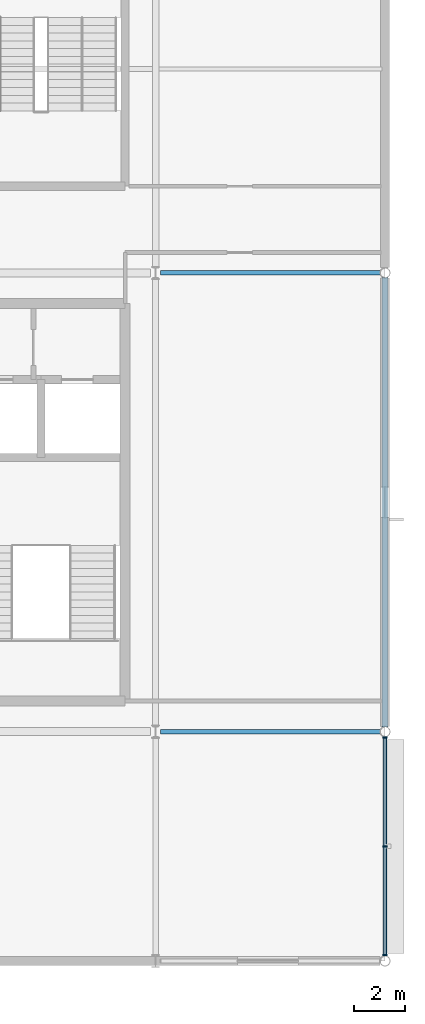
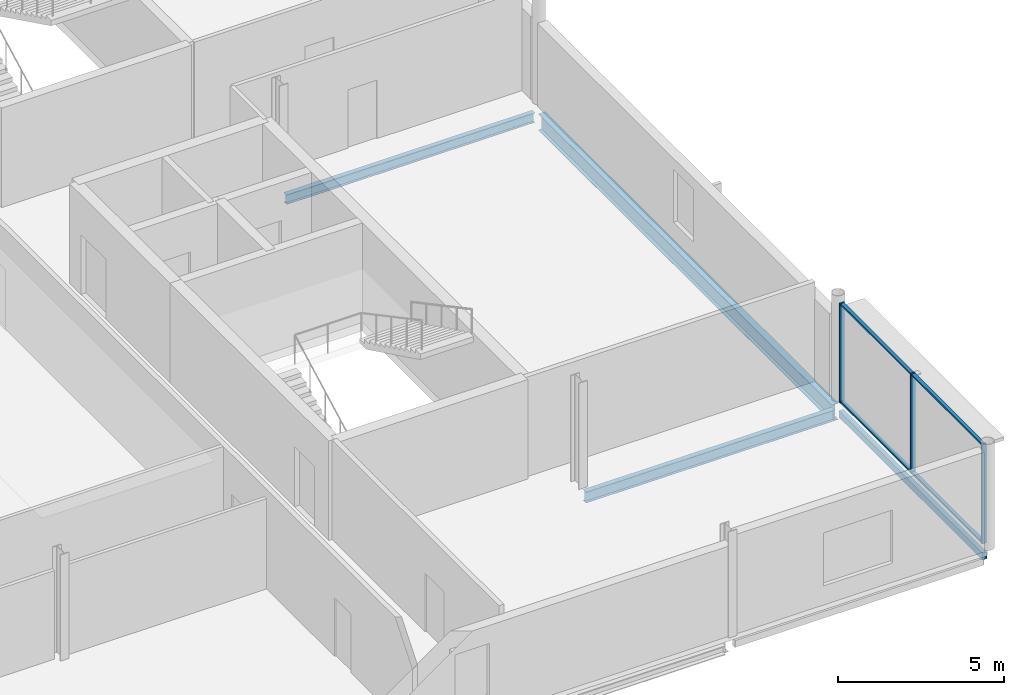
# One storey, part 44 of 96: 7 members, 4 beams, 1 element without a shape of its own.
"""IFC4 building model written with IfcOpenShell, lengths in metres."""

from ifc_helpers import new_model, si_unit, direction, frame, origin, origin_2d, place, context, subcontext, project, spatial, rectangle, hollow_rectangle, i_section, extrude, material, layer, layer_set, material_profile, profile_set, type_object, element, aggregate, save


model = new_model("IFC4")

# Units and contexts
model_context = context("Model", 3, precision=1e-05, world=origin(), true_north=direction((0.0, 1.0)))
body_context = subcontext(model_context, "Body", "Model", "MODEL_VIEW")
ifc_project = project(units=[si_unit("LENGTHUNIT", "METRE"), si_unit("AREAUNIT", "SQUARE_METRE"), si_unit("VOLUMEUNIT", "CUBIC_METRE"), si_unit("PLANEANGLEUNIT", "RADIAN"), si_unit("MASSUNIT", "GRAM", prefix="KILO")], contexts=[model_context])

# Site, building, storey
site_placement = place(None, origin())
site = spatial("IfcSite", under=ifc_project, at=site_placement, CompositionType="ELEMENT")
building_placement = place(site_placement, origin())
building = spatial("IfcBuilding", under=site, at=building_placement, Name="Kisiwana Market Hall", CompositionType="ELEMENT")
storey_placement = place(building_placement, frame((0.0, 0.0, 25.5)))
storey = spatial("IfcBuildingStorey", under=building, at=storey_placement, Name="L05", CompositionType="ELEMENT", Elevation=25.5)

# Beams
ifc_material_1 = material(Name="Steel S355", Category="steel")
ifc_material_profile_1 = material_profile(ifc_material_1, i_section(OverallWidth=0.22900390625, OverallDepth=0.6123046875, WebThickness=0.011962890625, FlangeThickness=0.01953125, at=origin_2d()), Name="UB 610x229x125")
ifc_profile_set_1 = profile_set([ifc_material_profile_1], Name="Steel S355")
beam_type_1 = type_object("IfcBeamType", Name="BM-GIRD-UB610H", PredefinedType="BEAM", material=ifc_profile_set_1)
beam_1_placement = place(storey_placement, frame((198.0, 18.18017578125, -0.62109375), z_axis=(0.0, 1.0, 0.0), x_axis=(-1.0, 0.0, 0.0)))
element("IfcBeam", 1, at=beam_1_placement, inside=storey, type_object=beam_type_1, Name="Floor beam B-1692", PredefinedType="BEAM", context=body_context, shape_type="SweptSolid", body=[
    extrude(i_section(OverallWidth=0.22900390625, OverallDepth=0.6123046875, WebThickness=0.011962890625, FlangeThickness=0.01953125, at=origin_2d()), origin(), (0.0, 0.0, 1.0), 17.6396484375),
])
ifc_material_2 = material(Name="Steel S355", Category="steel")
ifc_material_profile_2 = material_profile(ifc_material_2, i_section(OverallWidth=0.17138671875, OverallDepth=0.35498046875, WebThickness=0.00732421875, FlangeThickness=0.011474609375, at=origin_2d()), Name="UB 356x171x51")
ifc_profile_set_2 = profile_set([ifc_material_profile_2], Name="Steel S355")
beam_type_2 = type_object("IfcBeamType", Name="BM-JOIST-UB356", PredefinedType="JOIST", material=ifc_profile_set_2)
beam_2_placement = place(storey_placement, frame((189.193359375, 36.0, -0.492431640625), z_axis=(1.0, 0.0, 0.0), x_axis=(0.0, 1.0, 0.0)))
element("IfcBeam", 2, at=beam_2_placement, inside=storey, type_object=beam_type_2, Name="Floor beam B-1630", PredefinedType="JOIST", context=body_context, shape_type="SweptSolid", body=[
    extrude(i_section(OverallWidth=0.17138671875, OverallDepth=0.35498046875, WebThickness=0.00732421875, FlangeThickness=0.011474609375, at=origin_2d()), origin(), (0.0, 0.0, 1.0), 8.624267578125),
])
ifc_material_3 = material(Name="Steel S355", Category="steel")
ifc_material_profile_3 = material_profile(ifc_material_3, i_section(OverallWidth=0.177734375, OverallDepth=0.402587890625, WebThickness=0.0078125, FlangeThickness=0.010986328125, at=origin_2d()), Name="UB 406x178x54")
ifc_profile_set_3 = profile_set([ifc_material_profile_3], Name="Steel S355")
beam_type_3 = type_object("IfcBeamType", Name="BM-JOIST-UB406", PredefinedType="JOIST", material=ifc_profile_set_3)
beam_3_placement = place(storey_placement, frame((189.193359375, 18.0, -0.516357421875), z_axis=(1.0, 0.0, 0.0), x_axis=(0.0, 1.0, 0.0)))
element("IfcBeam", 3, at=beam_3_placement, inside=storey, type_object=beam_type_3, Name="Floor beam B-1616", PredefinedType="JOIST", context=body_context, shape_type="SweptSolid", body=[
    extrude(i_section(OverallWidth=0.177734375, OverallDepth=0.402587890625, WebThickness=0.0078125, FlangeThickness=0.010986328125, at=origin_2d()), origin(), (0.0, 0.0, 1.0), 8.624267578125),
])
ifc_material_4 = material(Name="Steel S355", Category="steel")
ifc_material_profile_4 = material_profile(ifc_material_4, hollow_rectangle(XDim=0.14990234375, YDim=0.25, WallThickness=0.010009765625, at=origin_2d()), Name="RHS 250x150x10.0")
ifc_profile_set_4 = profile_set([ifc_material_profile_4], Name="Steel S355")
beam_type_4 = type_object("IfcBeamType", Name="BM-SPAN-RHS250", PredefinedType="SPANDREL", material=ifc_profile_set_4)
beam_4_placement = place(storey_placement, frame((198.0, 9.18017578125, -0.43994140625), z_axis=(0.0, 1.0, 0.0), x_axis=(-1.0, 0.0, 0.0)))
element("IfcBeam", 4, at=beam_4_placement, inside=storey, type_object=beam_type_4, Name="Floor beam B-1691", PredefinedType="SPANDREL", context=body_context, shape_type="SweptSolid", body=[
    extrude(hollow_rectangle(XDim=0.14990234375, YDim=0.25, WallThickness=0.010009765625, at=origin_2d()), origin(), (0.0, 0.0, 1.0), 8.6396484375),
])

# Curtain wall, members
ifc_material_5 = material(Name="Double-glazed solar-control low-E IGU", Category="glass")
ifc_layer = layer(ifc_material_5, 0.159912109375)
ifc_layer_set = layer_set([ifc_layer], Name="CW-ZNA-EW-8200")
curtain_wall_type = type_object("IfcCurtainWallType", Name="CW-ZNA-EW-8200", PredefinedType="USERDEFINED", material=ifc_layer_set)
curtain_wall_placement = place(storey_placement, origin())
curtain_wall = element("IfcCurtainWall", 5, at=curtain_wall_placement, inside=storey, type_object=curtain_wall_type, Name="Unitised curtain wall CW-168 (L05)", ObjectType="UNITISED CURTAIN WALL", PredefinedType="USERDEFINED")
ifc_material_6 = material(Name="Aluminium alloy 6063-T6", Category="aluminium")
ifc_material_profile_5 = material_profile(ifc_material_6, rectangle(XDim=0.06005859375, YDim=0.159912109375, at=origin_2d()), Name="ALU MULLION 60x160")
ifc_profile_set_5 = profile_set([ifc_material_profile_5], Name="Aluminium alloy 6063-T6")
member_type_1 = type_object("IfcMemberType", Name="CW-MULL-60x160", PredefinedType="MULLION", material=ifc_profile_set_5)
member_1_placement = place(storey_placement, frame((198.0, 9.233154296875, 0.0), z_axis=(0.0, 0.0, 1.0), x_axis=(0.0, 1.0, 0.0)))
member_1 = element("IfcMember", 6, at=member_1_placement, type_object=member_type_1, Name="CW-168 mullion 1", PredefinedType="MULLION", context=body_context, shape_type="SweptSolid", body=[
    extrude(rectangle(XDim=0.06005859375, YDim=0.159912109375, at=origin_2d()), origin(), (0.0, 0.0, 1.0), 3.655029296875),
])
member_2_placement = place(storey_placement, frame((198.0, 13.5, 0.0), z_axis=(0.0, 0.0, 1.0), x_axis=(0.0, 1.0, 0.0)))
member_2 = element("IfcMember", 7, at=member_2_placement, type_object=member_type_1, Name="CW-168 mullion 2", PredefinedType="MULLION", context=body_context, shape_type="SweptSolid", body=[
    extrude(rectangle(XDim=0.06005859375, YDim=0.159912109375, at=origin_2d()), origin(), (0.0, 0.0, 1.0), 3.655029296875),
])
member_3_placement = place(storey_placement, frame((198.0, 17.766845703125, 0.0), z_axis=(0.0, 0.0, 1.0), x_axis=(0.0, 1.0, 0.0)))
member_3 = element("IfcMember", 8, at=member_3_placement, type_object=member_type_1, Name="CW-168 mullion 3", PredefinedType="MULLION", context=body_context, shape_type="SweptSolid", body=[
    extrude(rectangle(XDim=0.06005859375, YDim=0.159912109375, at=origin_2d()), origin(), (0.0, 0.0, 1.0), 3.655029296875),
])
ifc_material_7 = material(Name="Aluminium alloy 6063-T6", Category="aluminium")
ifc_material_profile_6 = material_profile(ifc_material_7, rectangle(XDim=0.1201171875, YDim=0.06005859375, at=origin_2d()), Name="ALU TRANSOM 60x120")
ifc_profile_set_6 = profile_set([ifc_material_profile_6], Name="Aluminium alloy 6063-T6")
member_type_2 = type_object("IfcMemberType", Name="CW-TRAN-60x120", PredefinedType="USERDEFINED", material=ifc_profile_set_6)
member_4_placement = place(storey_placement, frame((198.0, 9.26318359375, 0.030029296875), z_axis=(0.0, 1.0, 0.0), x_axis=(-1.0, 0.0, 0.0)))
member_4 = element("IfcMember", 9, at=member_4_placement, type_object=member_type_2, Name="CW-168 transom 1.1", ObjectType="TRANSOM", PredefinedType="USERDEFINED", context=body_context, shape_type="SweptSolid", body=[
    extrude(rectangle(XDim=0.1201171875, YDim=0.06005859375, at=origin_2d()), origin(), (0.0, 0.0, 1.0), 4.206787109375),
])
member_5_placement = place(storey_placement, frame((198.0, 9.26318359375, 3.625), z_axis=(0.0, 1.0, 0.0), x_axis=(-1.0, 0.0, 0.0)))
member_5 = element("IfcMember", 10, at=member_5_placement, type_object=member_type_2, Name="CW-168 transom 1.2", ObjectType="TRANSOM", PredefinedType="USERDEFINED", context=body_context, shape_type="SweptSolid", body=[
    extrude(rectangle(XDim=0.1201171875, YDim=0.06005859375, at=origin_2d()), origin(), (0.0, 0.0, 1.0), 4.206787109375),
])
member_6_placement = place(storey_placement, frame((198.0, 13.530029296875, 0.030029296875), z_axis=(0.0, 1.0, 0.0), x_axis=(-1.0, 0.0, 0.0)))
member_6 = element("IfcMember", 11, at=member_6_placement, type_object=member_type_2, Name="CW-168 transom 2.1", ObjectType="TRANSOM", PredefinedType="USERDEFINED", context=body_context, shape_type="SweptSolid", body=[
    extrude(rectangle(XDim=0.1201171875, YDim=0.06005859375, at=origin_2d()), origin(), (0.0, 0.0, 1.0), 4.206787109375),
])
member_7_placement = place(storey_placement, frame((198.0, 13.530029296875, 3.625), z_axis=(0.0, 1.0, 0.0), x_axis=(-1.0, 0.0, 0.0)))
member_7 = element("IfcMember", 12, at=member_7_placement, type_object=member_type_2, Name="CW-168 transom 2.2", ObjectType="TRANSOM", PredefinedType="USERDEFINED", context=body_context, shape_type="SweptSolid", body=[
    extrude(rectangle(XDim=0.1201171875, YDim=0.06005859375, at=origin_2d()), origin(), (0.0, 0.0, 1.0), 4.206787109375),
])
aggregate(curtain_wall, [member_1, member_2, member_3, member_4, member_5, member_6, member_7])

save(model, "model.ifc")
